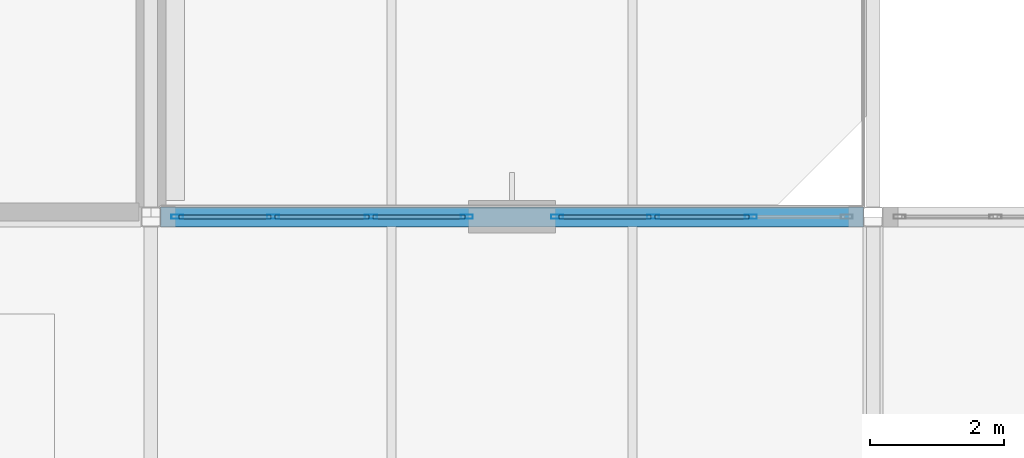
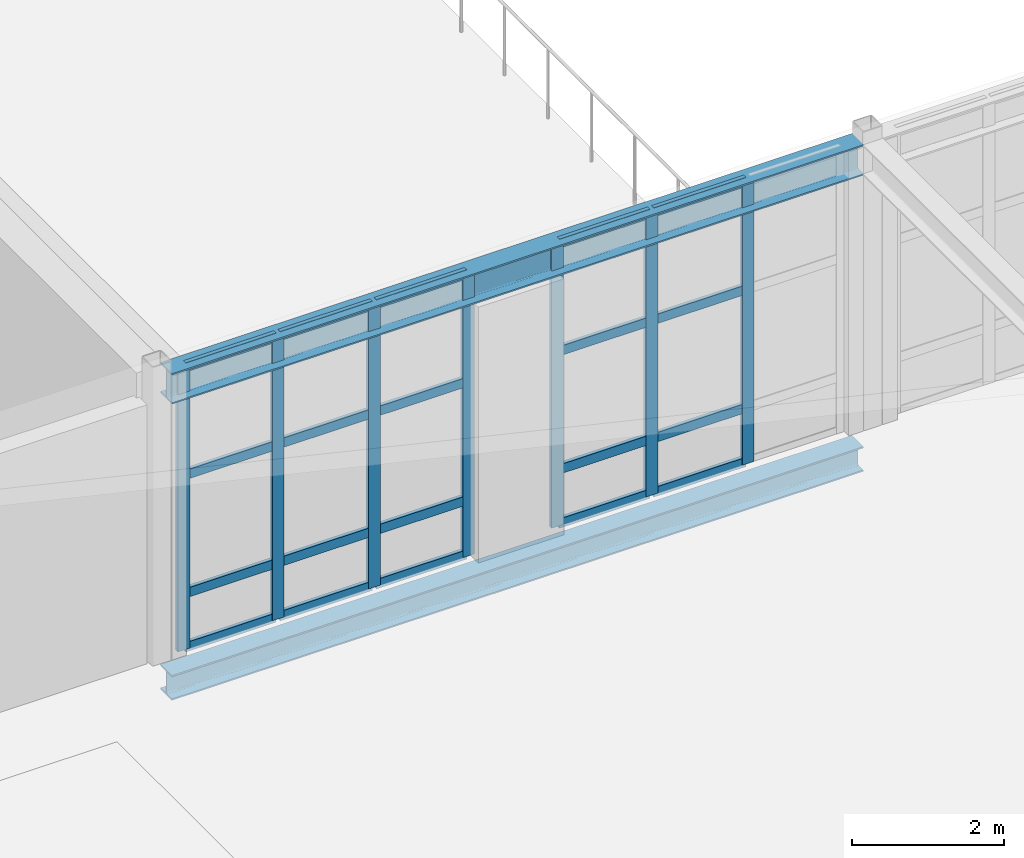
# One storey, part 39 of 86: 27 members, 2 beams, 2 elements without a shape of their own.
"""IFC4 building model written with IfcOpenShell, lengths in metres."""

from ifc_helpers import new_model, si_unit, direction, frame, origin, origin_2d, place, context, subcontext, project, spatial, hollow_rectangle, i_section, extrude, material, layer, layer_set, material_profile, profile_set, type_object, element, aggregate, save


model = new_model("IFC4")

# Units and contexts
model_context = context("Model", 3, precision=1e-05, world=origin(), true_north=direction((0.0, 1.0)))
body_context = subcontext(model_context, "Body", "Model", "MODEL_VIEW")
ifc_project = project(units=[si_unit("LENGTHUNIT", "METRE"), si_unit("AREAUNIT", "SQUARE_METRE"), si_unit("VOLUMEUNIT", "CUBIC_METRE"), si_unit("PLANEANGLEUNIT", "RADIAN"), si_unit("MASSUNIT", "GRAM", prefix="KILO")], contexts=[model_context])

# Site, building, storey
site_placement = place(None, origin())
site = spatial("IfcSite", under=ifc_project, at=site_placement, CompositionType="ELEMENT")
building_placement = place(site_placement, origin())
building = spatial("IfcBuilding", under=site, at=building_placement, Name="Tasgan Crest Museum", CompositionType="ELEMENT")
storey_placement = place(building_placement, frame((0.0, 0.0, 24.0)))
storey = spatial("IfcBuildingStorey", under=building, at=storey_placement, Name="L04", CompositionType="ELEMENT", Elevation=24.0)

# Beams
ifc_material_1 = material(Name="Steel S355J2", Category="steel")
ifc_material_profile_1 = material_profile(ifc_material_1, i_section(OverallWidth=0.300048828125, OverallDepth=0.489990234375, WebThickness=0.011962890625, FlangeThickness=0.02294921875, FilletRadius=0.027099609375, at=origin_2d()), Name="HEA 500")
ifc_profile_set_1 = profile_set([ifc_material_profile_1], Name="Steel S355J2")
beam_type_1 = type_object("IfcBeamType", Name="BM-G-HEA500", PredefinedType="BEAM", material=ifc_profile_set_1)
beam_1_placement = place(storey_placement, frame((86.5458984375, 82.0, 4.35498046875), z_axis=(1.0, 0.0, 0.0), x_axis=(0.0, 1.0, 0.0)))
element("IfcBeam", 1, at=beam_1_placement, inside=storey, type_object=beam_type_1, Name="Winter-garden roof girder J 86.4-97.2", PredefinedType="BEAM", context=body_context, shape_type="SweptSolid", body=[
    extrude(i_section(OverallWidth=0.300048828125, OverallDepth=0.489990234375, WebThickness=0.011962890625, FlangeThickness=0.02294921875, FilletRadius=0.027099609375, at=origin_2d()), origin(), (0.0, 0.0, 1.0), 10.508056640625),
])
ifc_material_2 = material(Name="Steel S355J2", Category="steel")
ifc_material_profile_2 = material_profile(ifc_material_2, i_section(OverallWidth=0.300048828125, OverallDepth=0.39990234375, WebThickness=0.013427734375, FlangeThickness=0.02392578125, FilletRadius=0.027099609375, at=origin_2d()), Name="HEB 400")
ifc_profile_set_2 = profile_set([ifc_material_profile_2], Name="Steel S355J2")
beam_type_2 = type_object("IfcBeamType", Name="BM-G-HEB400", PredefinedType="BEAM", material=ifc_profile_set_2)
beam_2_placement = place(storey_placement, frame((86.5458984375, 82.0, -0.449951171875), z_axis=(1.0, 0.0, 0.0), x_axis=(0.0, 1.0, 0.0)))
element("IfcBeam", 2, at=beam_2_placement, inside=storey, type_object=beam_type_2, Name="Girder L04 J 86.4-97.2", PredefinedType="BEAM", context=body_context, shape_type="SweptSolid", body=[
    extrude(i_section(OverallWidth=0.300048828125, OverallDepth=0.39990234375, WebThickness=0.013427734375, FlangeThickness=0.02392578125, FilletRadius=0.027099609375, at=origin_2d()), origin(), (0.0, 0.0, 1.0), 10.508056640625),
])

# Curtain wall, members
ifc_material_3 = material(Name="Triple-Glazed Aluminium Curtain Wall", Category="aluminium")
ifc_layer = layer(ifc_material_3, 0.179931640625, Name="CW-DRUM-X-48")
ifc_layer_set = layer_set([ifc_layer], Name="Triple-Glazed Aluminium Curtain Wall")
curtain_wall_type = type_object("IfcCurtainWallType", Name="CW-DRUM-X-48", PredefinedType="NOTDEFINED", material=ifc_layer_set)
curtain_wall_1_placement = place(storey_placement, origin())
curtain_wall_1 = element("IfcCurtainWall", 3, at=curtain_wall_1_placement, inside=storey, type_object=curtain_wall_type, Name="Curtain wall L04 157", PredefinedType="NOTDEFINED")
ifc_material_4 = material(Name="Anodised Aluminium", Category="aluminium")
ifc_material_profile_3 = material_profile(ifc_material_4, hollow_rectangle(XDim=0.06494140625, YDim=0.179931640625, WallThickness=0.0048828125, at=origin_2d()), Name="ALU MULLION 180x65x5")
ifc_profile_set_3 = profile_set([ifc_material_profile_3], Name="Anodised Aluminium")
member_type_1 = type_object("IfcMemberType", Name="CW-MULLION-180", PredefinedType="MULLION", material=ifc_profile_set_3)
member_1_placement = place(storey_placement, frame((95.37158203125, 82.0, 0.0), z_axis=(0.0, 0.0, 1.0), x_axis=(0.0, -1.0, 0.0)))
member_1 = element("IfcMember", 4, at=member_1_placement, type_object=member_type_1, Name="CW03 mullion 2", PredefinedType="MULLION", context=body_context, shape_type="SweptSolid", body=[
    extrude(hollow_rectangle(XDim=0.06494140625, YDim=0.179931640625, WallThickness=0.0048828125, at=origin_2d()), origin(), (0.0, 0.0, 1.0), 4.56005859375),
])
member_2_placement = place(storey_placement, frame((93.908447265625, 82.0, 0.0), z_axis=(0.0, 0.0, 1.0), x_axis=(0.0, -1.0, 0.0)))
member_2 = element("IfcMember", 5, at=member_2_placement, type_object=member_type_1, Name="CW03 mullion 3", PredefinedType="MULLION", context=body_context, shape_type="SweptSolid", body=[
    extrude(hollow_rectangle(XDim=0.06494140625, YDim=0.179931640625, WallThickness=0.0048828125, at=origin_2d()), origin(), (0.0, 0.0, 1.0), 4.56005859375),
])
member_3_placement = place(storey_placement, frame((92.47509765625, 82.0, 0.0), z_axis=(0.0, 0.0, 1.0), x_axis=(0.0, -1.0, 0.0)))
member_3 = element("IfcMember", 6, at=member_3_placement, type_object=member_type_1, Name="CW03 mullion 4", PredefinedType="MULLION", context=body_context, shape_type="SweptSolid", body=[
    extrude(hollow_rectangle(XDim=0.06494140625, YDim=0.179931640625, WallThickness=0.0048828125, at=origin_2d()), origin(), (0.0, 0.0, 1.0), 4.56005859375),
])

curtain_wall_2_placement = place(storey_placement, origin())
curtain_wall_2 = element("IfcCurtainWall", 7, at=curtain_wall_2_placement, inside=storey, type_object=curtain_wall_type, Name="Curtain wall L04 158", PredefinedType="NOTDEFINED")
member_4_placement = place(storey_placement, frame((91.125, 82.0, 0.0), z_axis=(0.0, 0.0, 1.0), x_axis=(0.0, -1.0, 0.0)))
member_4 = element("IfcMember", 8, at=member_4_placement, type_object=member_type_1, Name="CW03 mullion 1", PredefinedType="MULLION", context=body_context, shape_type="SweptSolid", body=[
    extrude(hollow_rectangle(XDim=0.06494140625, YDim=0.179931640625, WallThickness=0.0048828125, at=origin_2d()), origin(), (0.0, 0.0, 1.0), 4.56005859375),
])
member_5_placement = place(storey_placement, frame((89.691650390625, 82.0, 0.0), z_axis=(0.0, 0.0, 1.0), x_axis=(0.0, -1.0, 0.0)))
member_5 = element("IfcMember", 9, at=member_5_placement, type_object=member_type_1, Name="CW03 mullion 2", PredefinedType="MULLION", context=body_context, shape_type="SweptSolid", body=[
    extrude(hollow_rectangle(XDim=0.06494140625, YDim=0.179931640625, WallThickness=0.0048828125, at=origin_2d()), origin(), (0.0, 0.0, 1.0), 4.56005859375),
])
member_6_placement = place(storey_placement, frame((88.228271484375, 82.0, 0.0), z_axis=(0.0, 0.0, 1.0), x_axis=(0.0, -1.0, 0.0)))
member_6 = element("IfcMember", 10, at=member_6_placement, type_object=member_type_1, Name="CW03 mullion 3", PredefinedType="MULLION", context=body_context, shape_type="SweptSolid", body=[
    extrude(hollow_rectangle(XDim=0.06494140625, YDim=0.179931640625, WallThickness=0.0048828125, at=origin_2d()), origin(), (0.0, 0.0, 1.0), 4.56005859375),
])
member_7_placement = place(storey_placement, frame((86.794921875, 82.0, 0.0), z_axis=(0.0, 0.0, 1.0), x_axis=(0.0, -1.0, 0.0)))
member_7 = element("IfcMember", 11, at=member_7_placement, type_object=member_type_1, Name="CW03 mullion 4", PredefinedType="MULLION", context=body_context, shape_type="SweptSolid", body=[
    extrude(hollow_rectangle(XDim=0.06494140625, YDim=0.179931640625, WallThickness=0.0048828125, at=origin_2d()), origin(), (0.0, 0.0, 1.0), 4.56005859375),
])

# Member
ifc_material_5 = material(Name="Anodised Aluminium", Category="aluminium")
ifc_material_profile_4 = material_profile(ifc_material_5, hollow_rectangle(XDim=0.06005859375, YDim=0.14990234375, WallThickness=0.0048828125, at=origin_2d()), Name="ALU TRANSOM 150x60x5")
ifc_profile_set_4 = profile_set([ifc_material_profile_4], Name="Anodised Aluminium")
member_type_2 = type_object("IfcMemberType", Name="CW-TRANSOM-150", PredefinedType="USERDEFINED", material=ifc_profile_set_4)
member_8_placement = place(storey_placement, frame((95.341552734375, 82.0, 0.030029296875), z_axis=(-1.0, 0.0, 0.0), x_axis=(0.0, -1.0, 0.0)))
member_8 = element("IfcMember", 12, at=member_8_placement, type_object=member_type_2, Name="CW03 transom 2.1", ObjectType="TRANSOM", PredefinedType="USERDEFINED", context=body_context, shape_type="SweptSolid", body=[
    extrude(hollow_rectangle(XDim=0.06005859375, YDim=0.14990234375, WallThickness=0.0048828125, at=origin_2d()), origin(), (0.0, 0.0, 1.0), 1.4033203125),
])

member_9_placement = place(storey_placement, frame((95.341552734375, 82.0, 0.89990234375), z_axis=(-1.0, 0.0, 0.0), x_axis=(0.0, -1.0, 0.0)))
member_9 = element("IfcMember", 13, at=member_9_placement, type_object=member_type_2, Name="CW03 transom 2.2", ObjectType="TRANSOM", PredefinedType="USERDEFINED", context=body_context, shape_type="SweptSolid", body=[
    extrude(hollow_rectangle(XDim=0.06005859375, YDim=0.14990234375, WallThickness=0.0048828125, at=origin_2d()), origin(), (0.0, 0.0, 1.0), 1.4033203125),
])

member_10_placement = place(storey_placement, frame((95.341552734375, 82.0, 2.800048828125), z_axis=(-1.0, 0.0, 0.0), x_axis=(0.0, -1.0, 0.0)))
member_10 = element("IfcMember", 14, at=member_10_placement, type_object=member_type_2, Name="CW03 transom 2.3", ObjectType="TRANSOM", PredefinedType="USERDEFINED", context=body_context, shape_type="SweptSolid", body=[
    extrude(hollow_rectangle(XDim=0.06005859375, YDim=0.14990234375, WallThickness=0.0048828125, at=origin_2d()), origin(), (0.0, 0.0, 1.0), 1.4033203125),
])

member_11_placement = place(storey_placement, frame((95.341552734375, 82.0, 4.530029296875), z_axis=(-1.0, 0.0, 0.0), x_axis=(0.0, -1.0, 0.0)))
member_11 = element("IfcMember", 15, at=member_11_placement, type_object=member_type_2, Name="CW03 transom 2.4", ObjectType="TRANSOM", PredefinedType="USERDEFINED", context=body_context, shape_type="SweptSolid", body=[
    extrude(hollow_rectangle(XDim=0.06005859375, YDim=0.14990234375, WallThickness=0.0048828125, at=origin_2d()), origin(), (0.0, 0.0, 1.0), 1.4033203125),
])

member_12_placement = place(storey_placement, frame((93.87841796875, 82.0, 0.030029296875), z_axis=(-1.0, 0.0, 0.0), x_axis=(0.0, -1.0, 0.0)))
member_12 = element("IfcMember", 16, at=member_12_placement, type_object=member_type_2, Name="CW03 transom 3.1", ObjectType="TRANSOM", PredefinedType="USERDEFINED", context=body_context, shape_type="SweptSolid", body=[
    extrude(hollow_rectangle(XDim=0.06005859375, YDim=0.14990234375, WallThickness=0.0048828125, at=origin_2d()), origin(), (0.0, 0.0, 1.0), 1.37353515625),
])

member_13_placement = place(storey_placement, frame((93.87841796875, 82.0, 0.89990234375), z_axis=(-1.0, 0.0, 0.0), x_axis=(0.0, -1.0, 0.0)))
member_13 = element("IfcMember", 17, at=member_13_placement, type_object=member_type_2, Name="CW03 transom 3.2", ObjectType="TRANSOM", PredefinedType="USERDEFINED", context=body_context, shape_type="SweptSolid", body=[
    extrude(hollow_rectangle(XDim=0.06005859375, YDim=0.14990234375, WallThickness=0.0048828125, at=origin_2d()), origin(), (0.0, 0.0, 1.0), 1.37353515625),
])

member_14_placement = place(storey_placement, frame((93.87841796875, 82.0, 2.800048828125), z_axis=(-1.0, 0.0, 0.0), x_axis=(0.0, -1.0, 0.0)))
member_14 = element("IfcMember", 18, at=member_14_placement, type_object=member_type_2, Name="CW03 transom 3.3", ObjectType="TRANSOM", PredefinedType="USERDEFINED", context=body_context, shape_type="SweptSolid", body=[
    extrude(hollow_rectangle(XDim=0.06005859375, YDim=0.14990234375, WallThickness=0.0048828125, at=origin_2d()), origin(), (0.0, 0.0, 1.0), 1.37353515625),
])

member_15_placement = place(storey_placement, frame((93.87841796875, 82.0, 4.530029296875), z_axis=(-1.0, 0.0, 0.0), x_axis=(0.0, -1.0, 0.0)))
member_15 = element("IfcMember", 19, at=member_15_placement, type_object=member_type_2, Name="CW03 transom 3.4", ObjectType="TRANSOM", PredefinedType="USERDEFINED", context=body_context, shape_type="SweptSolid", body=[
    extrude(hollow_rectangle(XDim=0.06005859375, YDim=0.14990234375, WallThickness=0.0048828125, at=origin_2d()), origin(), (0.0, 0.0, 1.0), 1.37353515625),
])

aggregate(curtain_wall_1, [member_1, member_2, member_3, member_8, member_9, member_10, member_11, member_12, member_13, member_14, member_15])

member_16_placement = place(storey_placement, frame((91.094970703125, 82.0, 0.030029296875), z_axis=(-1.0, 0.0, 0.0), x_axis=(0.0, -1.0, 0.0)))
member_16 = element("IfcMember", 20, at=member_16_placement, type_object=member_type_2, Name="CW03 transom 1.1", ObjectType="TRANSOM", PredefinedType="USERDEFINED", context=body_context, shape_type="SweptSolid", body=[
    extrude(hollow_rectangle(XDim=0.06005859375, YDim=0.14990234375, WallThickness=0.0048828125, at=origin_2d()), origin(), (0.0, 0.0, 1.0), 1.373291015625),
])

member_17_placement = place(storey_placement, frame((91.094970703125, 82.0, 0.89990234375), z_axis=(-1.0, 0.0, 0.0), x_axis=(0.0, -1.0, 0.0)))
member_17 = element("IfcMember", 21, at=member_17_placement, type_object=member_type_2, Name="CW03 transom 1.2", ObjectType="TRANSOM", PredefinedType="USERDEFINED", context=body_context, shape_type="SweptSolid", body=[
    extrude(hollow_rectangle(XDim=0.06005859375, YDim=0.14990234375, WallThickness=0.0048828125, at=origin_2d()), origin(), (0.0, 0.0, 1.0), 1.373291015625),
])

member_18_placement = place(storey_placement, frame((91.094970703125, 82.0, 2.800048828125), z_axis=(-1.0, 0.0, 0.0), x_axis=(0.0, -1.0, 0.0)))
member_18 = element("IfcMember", 22, at=member_18_placement, type_object=member_type_2, Name="CW03 transom 1.3", ObjectType="TRANSOM", PredefinedType="USERDEFINED", context=body_context, shape_type="SweptSolid", body=[
    extrude(hollow_rectangle(XDim=0.06005859375, YDim=0.14990234375, WallThickness=0.0048828125, at=origin_2d()), origin(), (0.0, 0.0, 1.0), 1.373291015625),
])

member_19_placement = place(storey_placement, frame((91.094970703125, 82.0, 4.530029296875), z_axis=(-1.0, 0.0, 0.0), x_axis=(0.0, -1.0, 0.0)))
member_19 = element("IfcMember", 23, at=member_19_placement, type_object=member_type_2, Name="CW03 transom 1.4", ObjectType="TRANSOM", PredefinedType="USERDEFINED", context=body_context, shape_type="SweptSolid", body=[
    extrude(hollow_rectangle(XDim=0.06005859375, YDim=0.14990234375, WallThickness=0.0048828125, at=origin_2d()), origin(), (0.0, 0.0, 1.0), 1.373291015625),
])

member_20_placement = place(storey_placement, frame((89.66162109375, 82.0, 0.030029296875), z_axis=(-1.0, 0.0, 0.0), x_axis=(0.0, -1.0, 0.0)))
member_20 = element("IfcMember", 24, at=member_20_placement, type_object=member_type_2, Name="CW03 transom 2.1", ObjectType="TRANSOM", PredefinedType="USERDEFINED", context=body_context, shape_type="SweptSolid", body=[
    extrude(hollow_rectangle(XDim=0.06005859375, YDim=0.14990234375, WallThickness=0.0048828125, at=origin_2d()), origin(), (0.0, 0.0, 1.0), 1.4033203125),
])

member_21_placement = place(storey_placement, frame((89.66162109375, 82.0, 0.89990234375), z_axis=(-1.0, 0.0, 0.0), x_axis=(0.0, -1.0, 0.0)))
member_21 = element("IfcMember", 25, at=member_21_placement, type_object=member_type_2, Name="CW03 transom 2.2", ObjectType="TRANSOM", PredefinedType="USERDEFINED", context=body_context, shape_type="SweptSolid", body=[
    extrude(hollow_rectangle(XDim=0.06005859375, YDim=0.14990234375, WallThickness=0.0048828125, at=origin_2d()), origin(), (0.0, 0.0, 1.0), 1.4033203125),
])

member_22_placement = place(storey_placement, frame((89.66162109375, 82.0, 2.800048828125), z_axis=(-1.0, 0.0, 0.0), x_axis=(0.0, -1.0, 0.0)))
member_22 = element("IfcMember", 26, at=member_22_placement, type_object=member_type_2, Name="CW03 transom 2.3", ObjectType="TRANSOM", PredefinedType="USERDEFINED", context=body_context, shape_type="SweptSolid", body=[
    extrude(hollow_rectangle(XDim=0.06005859375, YDim=0.14990234375, WallThickness=0.0048828125, at=origin_2d()), origin(), (0.0, 0.0, 1.0), 1.4033203125),
])

member_23_placement = place(storey_placement, frame((89.66162109375, 82.0, 4.530029296875), z_axis=(-1.0, 0.0, 0.0), x_axis=(0.0, -1.0, 0.0)))
member_23 = element("IfcMember", 27, at=member_23_placement, type_object=member_type_2, Name="CW03 transom 2.4", ObjectType="TRANSOM", PredefinedType="USERDEFINED", context=body_context, shape_type="SweptSolid", body=[
    extrude(hollow_rectangle(XDim=0.06005859375, YDim=0.14990234375, WallThickness=0.0048828125, at=origin_2d()), origin(), (0.0, 0.0, 1.0), 1.4033203125),
])

member_24_placement = place(storey_placement, frame((88.1982421875, 82.0, 0.030029296875), z_axis=(-1.0, 0.0, 0.0), x_axis=(0.0, -1.0, 0.0)))
member_24 = element("IfcMember", 28, at=member_24_placement, type_object=member_type_2, Name="CW03 transom 3.1", ObjectType="TRANSOM", PredefinedType="USERDEFINED", context=body_context, shape_type="SweptSolid", body=[
    extrude(hollow_rectangle(XDim=0.06005859375, YDim=0.14990234375, WallThickness=0.0048828125, at=origin_2d()), origin(), (0.0, 0.0, 1.0), 1.373291015625),
])

member_25_placement = place(storey_placement, frame((88.1982421875, 82.0, 0.89990234375), z_axis=(-1.0, 0.0, 0.0), x_axis=(0.0, -1.0, 0.0)))
member_25 = element("IfcMember", 29, at=member_25_placement, type_object=member_type_2, Name="CW03 transom 3.2", ObjectType="TRANSOM", PredefinedType="USERDEFINED", context=body_context, shape_type="SweptSolid", body=[
    extrude(hollow_rectangle(XDim=0.06005859375, YDim=0.14990234375, WallThickness=0.0048828125, at=origin_2d()), origin(), (0.0, 0.0, 1.0), 1.373291015625),
])

member_26_placement = place(storey_placement, frame((88.1982421875, 82.0, 2.800048828125), z_axis=(-1.0, 0.0, 0.0), x_axis=(0.0, -1.0, 0.0)))
member_26 = element("IfcMember", 30, at=member_26_placement, type_object=member_type_2, Name="CW03 transom 3.3", ObjectType="TRANSOM", PredefinedType="USERDEFINED", context=body_context, shape_type="SweptSolid", body=[
    extrude(hollow_rectangle(XDim=0.06005859375, YDim=0.14990234375, WallThickness=0.0048828125, at=origin_2d()), origin(), (0.0, 0.0, 1.0), 1.373291015625),
])

member_27_placement = place(storey_placement, frame((88.1982421875, 82.0, 4.530029296875), z_axis=(-1.0, 0.0, 0.0), x_axis=(0.0, -1.0, 0.0)))
member_27 = element("IfcMember", 31, at=member_27_placement, type_object=member_type_2, Name="CW03 transom 3.4", ObjectType="TRANSOM", PredefinedType="USERDEFINED", context=body_context, shape_type="SweptSolid", body=[
    extrude(hollow_rectangle(XDim=0.06005859375, YDim=0.14990234375, WallThickness=0.0048828125, at=origin_2d()), origin(), (0.0, 0.0, 1.0), 1.373291015625),
])

aggregate(curtain_wall_2, [member_4, member_5, member_6, member_7, member_16, member_17, member_18, member_19, member_20, member_21, member_22, member_23, member_24, member_25, member_26, member_27])

save(model, "model.ifc")
